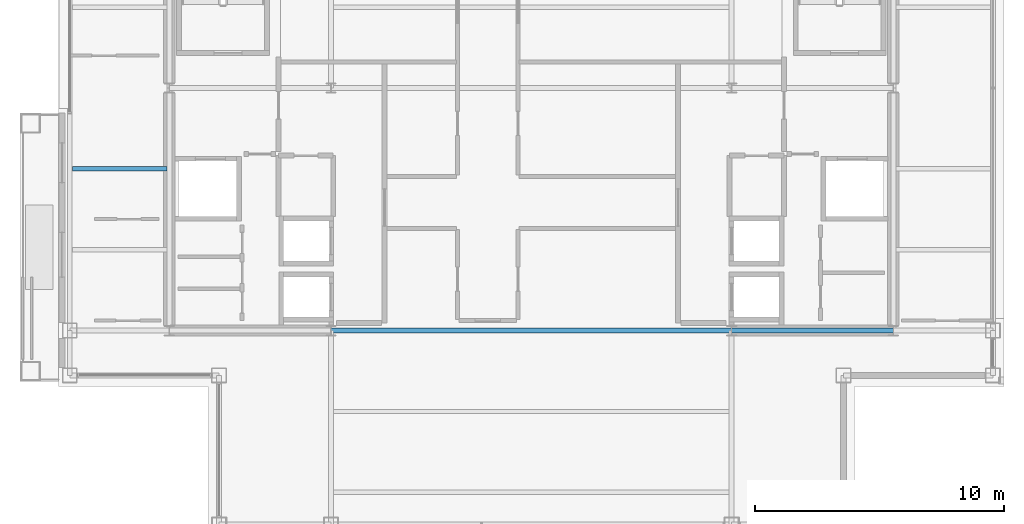
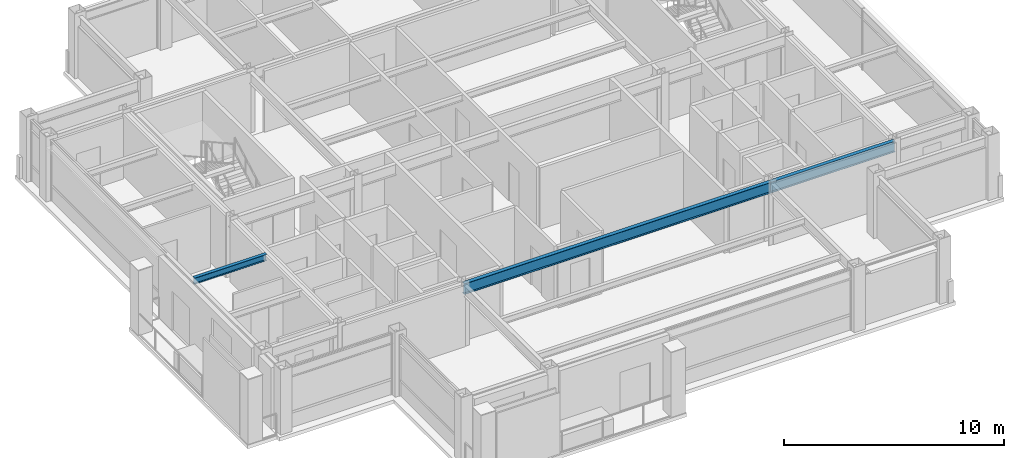
# One storey, part 8 of 24: 3 beams.
"""IFC4 building model written with IfcOpenShell, lengths in metres."""

from ifc_helpers import new_model, si_unit, direction, frame, origin, origin_2d, place, context, subcontext, project, spatial, i_section, extrude, material, material_profile, profile_set, type_object, element, save


model = new_model("IFC4")

# Units and contexts
model_context = context("Model", 3, precision=1e-05, world=origin(), true_north=direction((0.0, 1.0)))
body_context = subcontext(model_context, "Body", "Model", "MODEL_VIEW")
ifc_project = project(units=[si_unit("LENGTHUNIT", "METRE"), si_unit("AREAUNIT", "SQUARE_METRE"), si_unit("VOLUMEUNIT", "CUBIC_METRE"), si_unit("PLANEANGLEUNIT", "RADIAN"), si_unit("MASSUNIT", "GRAM", prefix="KILO")], contexts=[model_context])

# Site, building, storey
site_placement = place(None, origin())
site = spatial("IfcSite", under=ifc_project, at=site_placement, CompositionType="ELEMENT")
building_placement = place(site_placement, origin())
building = spatial("IfcBuilding", under=site, at=building_placement, Name="Brelmoor Portico Tower", CompositionType="ELEMENT")
storey_placement = place(building_placement, frame((0.0, 0.0, 261.60009765625)))
storey = spatial("IfcBuildingStorey", under=building, at=storey_placement, Name="L69", CompositionType="ELEMENT", Elevation=261.60009765625)

# Beams
ifc_material = material(Name="Steel Q355B", Category="steel")
ifc_material_profile_1 = material_profile(ifc_material, i_section(OverallWidth=0.175048828125, OverallDepth=0.35009765625, WebThickness=0.007080078125, FlangeThickness=0.010986328125, at=origin_2d()), Name="HN 350x175x7x11")
ifc_profile_set_1 = profile_set([ifc_material_profile_1], Name="Steel Q355B")
beam_type_1 = type_object("IfcBeamType", Name="BM-JS-350", PredefinedType="JOIST", material=ifc_profile_set_1)
beam_1_placement = place(storey_placement, frame((-18.449951171875, -3.25, 3.224853515625), z_axis=(1.0, 0.0, 0.0), x_axis=(0.0, 1.0, 0.0)))
element("IfcBeam", 1, at=beam_1_placement, inside=storey, type_object=beam_type_1, Name="L69 Secondary Wing Joist JS-W08", PredefinedType="JOIST", context=body_context, shape_type="SweptSolid", body=[
    extrude(i_section(OverallWidth=0.175048828125, OverallDepth=0.35009765625, WebThickness=0.007080078125, FlangeThickness=0.010986328125, at=origin_2d()), origin(), (0.0, 0.0, 1.0), 3.800048828125),
])
ifc_material_profile_2 = material_profile(ifc_material, i_section(OverallWidth=0.199951171875, OverallDepth=0.60009765625, WebThickness=0.010986328125, FlangeThickness=0.01708984375, at=origin_2d()), Name="HN 600x200x11x17")
ifc_profile_set_2 = profile_set([ifc_material_profile_2], Name="Steel Q355B")
beam_type_2 = type_object("IfcBeamType", Name="BM-PG-600", PredefinedType="BEAM", material=ifc_profile_set_2)
beam_2_placement = place(storey_placement, frame((-8.050048828125, -9.75, 3.099853515625), z_axis=(1.0, 0.0, 0.0), x_axis=(0.0, 1.0, 0.0)))
element("IfcBeam", 2, at=beam_2_placement, inside=storey, type_object=beam_type_2, Name="L69 Primary Floor Girder PG-13", PredefinedType="BEAM", context=body_context, shape_type="SweptSolid", body=[
    extrude(i_section(OverallWidth=0.199951171875, OverallDepth=0.60009765625, WebThickness=0.010986328125, FlangeThickness=0.01708984375, at=origin_2d()), origin(), (0.0, 0.0, 1.0), 16.10009765625),
])
beam_3_placement = place(storey_placement, frame((8.050048828125, -9.75, 3.099853515625), z_axis=(1.0, 0.0, 0.0), x_axis=(0.0, 1.0, 0.0)))
element("IfcBeam", 3, at=beam_3_placement, inside=storey, type_object=beam_type_2, Name="L69 Primary Floor Girder PG-14", PredefinedType="BEAM", context=body_context, shape_type="SweptSolid", body=[
    extrude(i_section(OverallWidth=0.199951171875, OverallDepth=0.60009765625, WebThickness=0.010986328125, FlangeThickness=0.01708984375, at=origin_2d()), origin(), (0.0, 0.0, 1.0), 6.5),
])

save(model, "model.ifc")
